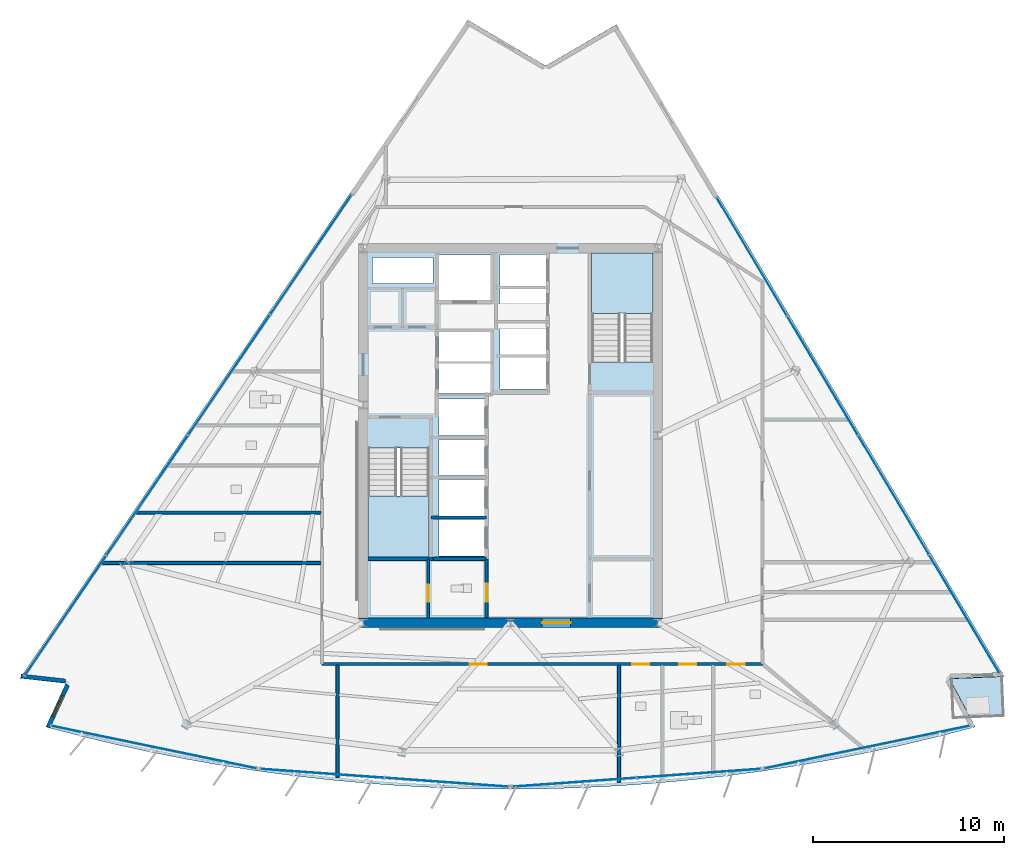
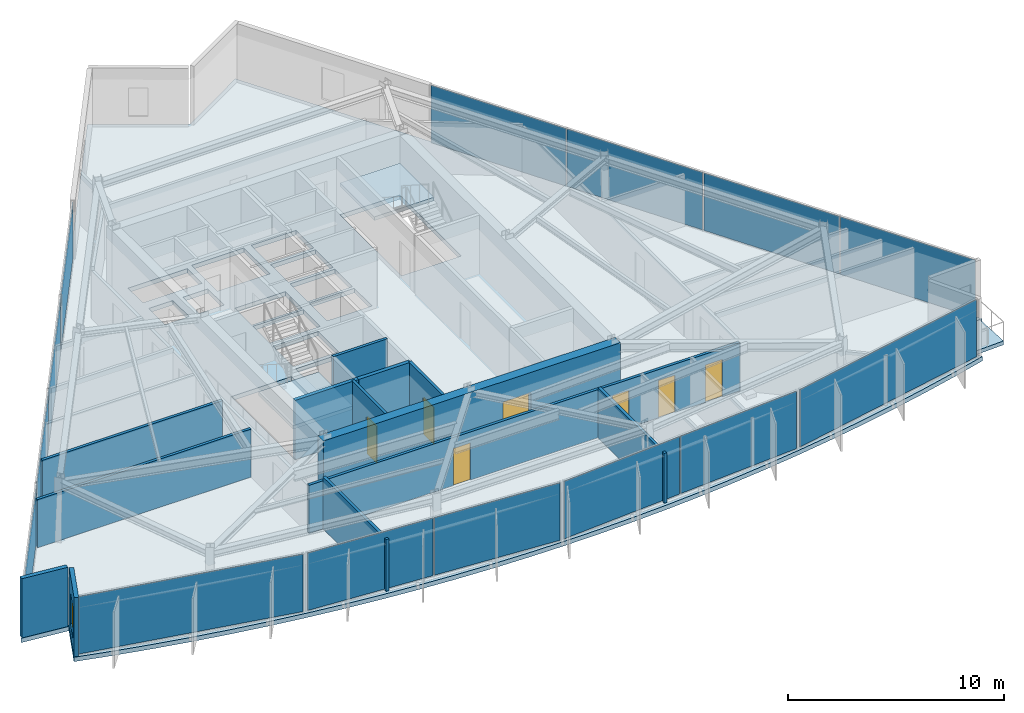
# One storey, part 7 of 15: 14 plates, 13 walls, 7 doors, 4 slabs, 1 window, 8 openings, 8 elements without a shape of their own.
"""IFC4 building model written with IfcOpenShell, lengths in metres."""

import ifcopenshell
import ifcopenshell.guid

model = None  # the IFC model being written
_history = None  # IfcOwnerHistory: only IFC2X3 demands one
_inside = {}  # id of a spatial element -> (the spatial element, [elements in it])
_under = {}  # id of a project, library or spatial element -> (it, [spatial elements below it])
_declared = {}  # id of a project -> (the project, [libraries it declares])
_typed = {}  # id of a type object -> (the type object, [elements of that type])
_made_of = {}  # id of a material, layer set ... -> (it, [elements and type objects made of it])


def new_model(schema):
    """Start an empty IFC model of exactly this schema.

    Asked for "IFC4X3", IfcOpenShell would pick the latest addendum, in which some entities
    have other attributes; the version numbers below select the first issue.
    IFC2X3 requires an IfcOwnerHistory on every rooted entity: one is made here for all.
    """
    global model, _history
    if schema == "IFC4X3":
        model = ifcopenshell.file(schema_version=(4, 3, 0, 0))
    else:
        model = ifcopenshell.file(schema=schema)
    _inside.clear()
    _under.clear()
    _declared.clear()
    _typed.clear()
    _made_of.clear()
    _history = None
    if model.schema == "IFC2X3":
        org = make("IfcOrganization", Name="unknown")
        user = make(
            "IfcPersonAndOrganization",
            ThePerson=make("IfcPerson", FamilyName="unknown"),
            TheOrganization=org,
        )
        app = make(
            "IfcApplication",
            ApplicationDeveloper=org,
            Version="unknown",
            ApplicationFullName="unknown",
            ApplicationIdentifier="unknown",
        )
        _history = make(
            "IfcOwnerHistory",
            OwningUser=user,
            OwningApplication=app,
            ChangeAction="ADDED",
            CreationDate=0,
        )
    return model


def make(cls, **values):
    """One entity of the class cls with the attributes given. An attribute that is None is left unset."""
    return model.create_entity(
        cls, **{name: value for name, value in values.items() if value is not None}
    )


def rooted(cls, **values):
    """An entity with a GlobalId (a new one), such as an element, a storey or a relation."""
    return make(cls, GlobalId=ifcopenshell.guid.new(), OwnerHistory=_history, **values)


def si_unit(unit_type, name, prefix=None):
    """IfcSIUnit, for example si_unit("LENGTHUNIT", "METRE", prefix="MILLI")."""
    return make("IfcSIUnit", UnitType=unit_type, Prefix=prefix, Name=name)


def assignment(units):
    """IfcUnitAssignment: the units of a project."""
    return None if units is None else make("IfcUnitAssignment", Units=units)


def point(xyz):
    """IfcCartesianPoint."""
    return None if xyz is None else make("IfcCartesianPoint", Coordinates=xyz)


def direction(xyz):
    """IfcDirection."""
    return None if xyz is None else make("IfcDirection", DirectionRatios=xyz)


def frame(location, z_axis=None, x_axis=None):
    """IfcAxis2Placement3D, a coordinate frame: its origin and axes. An axis left out is left unset."""
    return make(
        "IfcAxis2Placement3D",
        Location=point(location),
        Axis=direction(z_axis),
        RefDirection=direction(x_axis),
    )


def frame_2d(location, x_axis=None):
    """IfcAxis2Placement2D, a coordinate frame in the plane: its origin and x axis."""
    return make(
        "IfcAxis2Placement2D", Location=point(location), RefDirection=direction(x_axis)
    )


def origin():
    """The frame at (0, 0, 0) with its axes left unset."""
    return frame((0.0, 0.0, 0.0))


def origin_2d():
    """The frame at (0, 0) in the plane with its x axis left unset."""
    return frame_2d((0.0, 0.0))


def place(relative_to, where):
    """IfcLocalPlacement: puts the frame where relative to a parent placement (None: the world)."""
    return make(
        "IfcLocalPlacement", PlacementRelTo=relative_to, RelativePlacement=where
    )


def context(
    kind, dimensions, precision=None, world=None, true_north=None, identifier=None
):
    """IfcGeometricRepresentationContext, for example the 3D "Model" context."""
    return make(
        "IfcGeometricRepresentationContext",
        ContextIdentifier=identifier,
        ContextType=kind,
        CoordinateSpaceDimension=dimensions,
        Precision=precision,
        WorldCoordinateSystem=world,
        TrueNorth=true_north,
    )


def subcontext(parent, identifier, kind, view, scale=None):
    """IfcGeometricRepresentationSubContext, for example "Body" below "Model"."""
    return make(
        "IfcGeometricRepresentationSubContext",
        ContextIdentifier=identifier,
        ContextType=kind,
        ParentContext=parent,
        TargetScale=scale,
        TargetView=view,
    )


def project(units=None, contexts=None):
    """IfcProject with its units and contexts."""
    return rooted(
        "IfcProject",
        Name="project",
        RepresentationContexts=contexts,
        UnitsInContext=assignment(units),
    )


def spatial(cls, under=None, at=None, **own):
    """A site, building, storey or space (cls), placed at a placement, below another one or the project."""
    s = rooted(cls, ObjectPlacement=at, **own)
    if under is not None:
        _under.setdefault(under.id(), (under, []))[1].append(s)
    return s


def polyline(points):
    """IfcPolyline through the points."""
    return make("IfcPolyline", Points=[point(p) for p in points])


def profile(cls, at=None, kind="AREA", **sizes):
    """A parametric profile (cls). Its sizes go by their IFC names, for example OverallWidth=200.0."""
    return make(cls, ProfileType=kind, Position=at, **sizes)


def rectangle(**sizes):
    """IfcRectangleProfileDef."""
    return profile("IfcRectangleProfileDef", **sizes)


def outline(outer, holes=None, kind="AREA"):
    """IfcArbitraryClosedProfileDef: a profile drawn as a closed curve; with holes, ...WithVoids."""
    if holes is None:
        return make("IfcArbitraryClosedProfileDef", ProfileType=kind, OuterCurve=outer)
    return make(
        "IfcArbitraryProfileDefWithVoids",
        ProfileType=kind,
        OuterCurve=outer,
        InnerCurves=holes,
    )


def extrude(swept, where, along, depth):
    """IfcExtrudedAreaSolid: the profile swept, set in the frame where, extruded along a direction by depth."""
    return make(
        "IfcExtrudedAreaSolid",
        SweptArea=swept,
        Position=where,
        ExtrudedDirection=direction(along),
        Depth=depth,
    )


def shape(context_of_items, identifier, shape_type, items):
    """IfcShapeRepresentation: the items that make up one representation, for example the "Body"."""
    return make(
        "IfcShapeRepresentation",
        ContextOfItems=context_of_items,
        RepresentationIdentifier=identifier,
        RepresentationType=shape_type,
        Items=items,
    )


def material(Name=None, Category=None):
    """IfcMaterial."""
    return make("IfcMaterial", Name=Name, Category=Category)


def layer(
    of_material, thickness, ventilated=None, Name=None, Category=None, Priority=None
):
    """IfcMaterialLayer: one layer of a wall or slab, of a material (None: an air gap)."""
    return make(
        "IfcMaterialLayer",
        Material=of_material,
        LayerThickness=thickness,
        IsVentilated=ventilated,
        Name=Name,
        Category=Category,
        Priority=Priority,
    )


def layer_set(layers, Name=None):
    """IfcMaterialLayerSet."""
    return make("IfcMaterialLayerSet", MaterialLayers=layers, LayerSetName=Name)


def made_of(thing, what):
    """Note that an element or type object is made of a material, layer set ...; save() writes the relation."""
    if what is not None:
        _made_of.setdefault(what.id(), (what, []))[1].append(thing)
    return thing


def type_object(cls, material=None, **own):
    """A type object (cls), such as IfcWallType, which elements share."""
    return made_of(rooted(cls, **own), material)


def element(
    cls,
    number,
    at=None,
    inside=None,
    cuts=None,
    type_object=None,
    material=None,
    context=None,
    identifier="Body",
    shape_type=None,
    held_by="IfcProductDefinitionShape",
    body=None,
    shapes=None,
    **own,
):
    """One element of the class cls, such as IfcWall. Its Tag is "e" and its number.

    at: its placement. inside: the storey or other place that contains it. cuts: it is an
    opening in that element (IfcRelVoidsElement). A single representation is given by context,
    identifier, shape_type and body (its items); several are given by shapes. held_by: the class
    of the entity that holds the representations. save() writes the other relations.
    """
    e = rooted(cls, Tag="e%d" % number, ObjectPlacement=at, **own)
    if body is not None:
        shapes = [shape(context, identifier, shape_type, body)]
    if shapes is not None:
        e.Representation = make(held_by, Representations=shapes)
    if inside is not None:
        _inside.setdefault(inside.id(), (inside, []))[1].append(e)
    if cuts is not None:
        rooted(
            "IfcRelVoidsElement", RelatingBuildingElement=cuts, RelatedOpeningElement=e
        )
    if type_object is not None:
        _typed.setdefault(type_object.id(), (type_object, []))[1].append(e)
    return made_of(e, material)


def fill(opening, filler):
    """IfcRelFillsElement: the door or window that sits in an opening."""
    return rooted(
        "IfcRelFillsElement",
        RelatingOpeningElement=opening,
        RelatedBuildingElement=filler,
    )


def aggregate(whole, parts):
    """IfcRelAggregates: a whole, such as a stair, and the parts it consists of."""
    return rooted("IfcRelAggregates", RelatingObject=whole, RelatedObjects=parts)


def save(model, path):
    """Write the relations noted so far, then the file.

    IfcRelAggregates (storeys below a building ...), IfcRelContainedInSpatialStructure (elements
    in a storey), IfcRelDefinesByType, IfcRelAssociatesMaterial and IfcRelDeclares: one each for
    every whole, place, type object, material and project.
    """
    for whole, parts in _under.values():
        aggregate(whole, parts)
    for where, things in _inside.values():
        rooted(
            "IfcRelContainedInSpatialStructure",
            RelatedElements=things,
            RelatingStructure=where,
        )
    for kind, things in _typed.values():
        rooted("IfcRelDefinesByType", RelatedObjects=things, RelatingType=kind)
    for what, things in _made_of.values():
        rooted("IfcRelAssociatesMaterial", RelatedObjects=things, RelatingMaterial=what)
    for by, libraries in _declared.values():
        rooted("IfcRelDeclares", RelatingContext=by, RelatedDefinitions=libraries)
    model.write(path)


model = new_model("IFC4")

# Units and contexts
model_context = context("Model", 3, precision=1e-05, world=origin(), true_north=direction((0.0, 1.0)))
body_context = subcontext(model_context, "Body", "Model", "MODEL_VIEW")
ifc_project = project(units=[si_unit("LENGTHUNIT", "METRE"), si_unit("AREAUNIT", "SQUARE_METRE"), si_unit("VOLUMEUNIT", "CUBIC_METRE"), si_unit("PLANEANGLEUNIT", "RADIAN"), si_unit("MASSUNIT", "GRAM", prefix="KILO")], contexts=[model_context])

# Site, building, storey
site_placement = place(None, origin())
site = spatial("IfcSite", under=ifc_project, at=site_placement, CompositionType="ELEMENT")
building_placement = place(site_placement, origin())
building = spatial("IfcBuilding", under=site, at=building_placement, Name="Savorim Split Tower", CompositionType="ELEMENT")
storey_placement = place(building_placement, frame((0.0, 0.0, 198.300048828125)))
storey = spatial("IfcBuildingStorey", under=building, at=storey_placement, Name="L52", CompositionType="ELEMENT", Elevation=198.300048828125)

# Curtain wall, plate
ifc_material_1 = material(Name="Dark Ceramic-Fritted Insulated Glass", Category="glass")
curtain_wall_type = type_object("IfcCurtainWallType", Name="CW-TWR-FRIT-B", PredefinedType="NOTDEFINED", material=ifc_material_1)
curtain_wall_1_placement = place(storey_placement, origin())
curtain_wall_1 = element("IfcCurtainWall", 1, at=curtain_wall_1_placement, inside=storey, type_object=curtain_wall_type, Name="L52 Curtain Wall CW-L52-SF1", PredefinedType="NOTDEFINED")
ifc_layer_1 = layer(ifc_material_1, 0.02587890625)
ifc_layer_set_1 = layer_set([ifc_layer_1], Name="CWP-FRITB-26")
plate_type = type_object("IfcPlateType", Name="CWP-FRITB-26", PredefinedType="CURTAIN_PANEL", material=ifc_layer_set_1)
plate_1_placement = place(storey_placement, frame((-18.65283203125, -15.901123046875, 0.050048828125), z_axis=(0.0, 0.0, 1.0), x_axis=(0.979135601511, -0.203207957161, 0.0)))
plate_1 = element("IfcPlate", 2, at=plate_1_placement, type_object=plate_type, Name="CW-03 panel 1.1", PredefinedType="CURTAIN_PANEL", context=body_context, shape_type="SweptSolid", body=[
    extrude(rectangle(XDim=10.946533203125, YDim=0.02587890625, at=origin_2d()), origin(), (0.0, 0.0, 1.0), 3.25),
])
aggregate(curtain_wall_1, [plate_1])

# Curtain wall, plates
curtain_wall_2_placement = place(storey_placement, origin())
curtain_wall_2 = element("IfcCurtainWall", 3, at=curtain_wall_2_placement, inside=storey, type_object=curtain_wall_type, Name="L52 Curtain Wall CW-L52-SF2", PredefinedType="NOTDEFINED")
plate_2_placement = place(storey_placement, frame((-9.846923828125, -17.275634765625, 0.050048828125), z_axis=(0.0, 0.0, 1.0), x_axis=(0.997436161804, -0.071561883187, 0.0)))
plate_2 = element("IfcPlate", 4, at=plate_2_placement, type_object=plate_type, Name="CW-03 panel 1.1", PredefinedType="CURTAIN_PANEL", context=body_context, shape_type="SweptSolid", body=[
    extrude(rectangle(XDim=6.46728515625, YDim=0.02587890625, at=origin_2d()), origin(), (0.0, 0.0, 1.0), 3.25),
])
plate_3_placement = place(storey_placement, frame((-3.33642578125, -17.74267578125, 0.050048828125), z_axis=(0.0, 0.0, 1.0), x_axis=(0.997436161804, -0.071561883187, 0.0)))
plate_3 = element("IfcPlate", 5, at=plate_3_placement, type_object=plate_type, Name="CW-03 panel 2.1", PredefinedType="CURTAIN_PANEL", context=body_context, shape_type="SweptSolid", body=[
    extrude(rectangle(XDim=6.46728515625, YDim=0.02587890625, at=origin_2d()), origin(), (0.0, 0.0, 1.0), 3.25),
])
aggregate(curtain_wall_2, [plate_2, plate_3])

curtain_wall_3_placement = place(storey_placement, origin())
curtain_wall_3 = element("IfcCurtainWall", 6, at=curtain_wall_3_placement, inside=storey, type_object=curtain_wall_type, Name="L52 Curtain Wall CW-L52-SF3", PredefinedType="NOTDEFINED")
plate_4_placement = place(storey_placement, frame((3.33642578125, -17.74267578125, 0.050048828125), z_axis=(0.0, 0.0, 1.0), x_axis=(0.997436161804, 0.071561883187, 0.0)))
plate_4 = element("IfcPlate", 7, at=plate_4_placement, type_object=plate_type, Name="CW-03 panel 1.1", PredefinedType="CURTAIN_PANEL", context=body_context, shape_type="SweptSolid", body=[
    extrude(rectangle(XDim=6.46728515625, YDim=0.02587890625, at=origin_2d()), origin(), (0.0, 0.0, 1.0), 3.25),
])
plate_5_placement = place(storey_placement, frame((9.846923828125, -17.275634765625, 0.050048828125), z_axis=(0.0, 0.0, 1.0), x_axis=(0.997436161804, 0.071561883187, 0.0)))
plate_5 = element("IfcPlate", 8, at=plate_5_placement, type_object=plate_type, Name="CW-03 panel 2.1", PredefinedType="CURTAIN_PANEL", context=body_context, shape_type="SweptSolid", body=[
    extrude(rectangle(XDim=6.46728515625, YDim=0.02587890625, at=origin_2d()), origin(), (0.0, 0.0, 1.0), 3.25),
])
aggregate(curtain_wall_3, [plate_4, plate_5])

# Curtain wall, plate
curtain_wall_4_placement = place(storey_placement, origin())
curtain_wall_4 = element("IfcCurtainWall", 9, at=curtain_wall_4_placement, inside=storey, type_object=curtain_wall_type, Name="L52 Curtain Wall CW-L52-SF4", PredefinedType="NOTDEFINED")
plate_6_placement = place(storey_placement, frame((18.65283203125, -15.901123046875, 0.050048828125), z_axis=(0.0, 0.0, 1.0), x_axis=(0.979135601511, 0.203207957161, 0.0)))
plate_6 = element("IfcPlate", 10, at=plate_6_placement, type_object=plate_type, Name="CW-03 panel 1.1", PredefinedType="CURTAIN_PANEL", context=body_context, shape_type="SweptSolid", body=[
    extrude(rectangle(XDim=10.946533203125, YDim=0.02587890625, at=origin_2d()), origin(), (0.0, 0.0, 1.0), 3.25),
])
aggregate(curtain_wall_4, [plate_6])

# Curtain wall, plates
curtain_wall_5_placement = place(storey_placement, origin())
curtain_wall_5 = element("IfcCurtainWall", 11, at=curtain_wall_5_placement, inside=storey, type_object=curtain_wall_type, Name="L52 Curtain Wall CW-L52-EAST", PredefinedType="NOTDEFINED")
plate_7_placement = place(storey_placement, frame((23.739013671875, -8.941162109375, 0.050048828125), z_axis=(0.0, 0.0, 1.0), x_axis=(-0.511092175308, 0.859525909056, 0.0)))
plate_7 = element("IfcPlate", 12, at=plate_7_placement, type_object=plate_type, Name="CW-03 panel 1.1", PredefinedType="CURTAIN_PANEL", context=body_context, shape_type="SweptSolid", body=[
    extrude(rectangle(XDim=7.167724609375, YDim=0.02587890625, at=origin_2d()), origin(), (0.0, 0.0, 1.0), 3.25),
])
plate_8_placement = place(storey_placement, frame((20.037353515625, -2.7158203125, 0.050048828125), z_axis=(0.0, 0.0, 1.0), x_axis=(-0.511092175308, 0.859525909056, 0.0)))
plate_8 = element("IfcPlate", 13, at=plate_8_placement, type_object=plate_type, Name="CW-03 panel 2.1", PredefinedType="CURTAIN_PANEL", context=body_context, shape_type="SweptSolid", body=[
    extrude(rectangle(XDim=7.19775390625, YDim=0.02587890625, at=origin_2d()), origin(), (0.0, 0.0, 1.0), 3.25),
])
plate_9_placement = place(storey_placement, frame((16.328125, 3.522216796875, 0.050048828125), z_axis=(0.0, 0.0, 1.0), x_axis=(-0.511092175308, 0.859525909056, 0.0)))
plate_9 = element("IfcPlate", 14, at=plate_9_placement, type_object=plate_type, Name="CW-03 panel 3.1", PredefinedType="CURTAIN_PANEL", context=body_context, shape_type="SweptSolid", body=[
    extrude(rectangle(XDim=7.19775390625, YDim=0.02587890625, at=origin_2d()), origin(), (0.0, 0.0, 1.0), 3.25),
])
plate_10_placement = place(storey_placement, frame((12.626220703125, 9.74755859375, 0.050048828125), z_axis=(0.0, 0.0, 1.0), x_axis=(-0.511092175308, 0.859525909056, 0.0)))
plate_10 = element("IfcPlate", 15, at=plate_10_placement, type_object=plate_type, Name="CW-03 panel 4.1", PredefinedType="CURTAIN_PANEL", context=body_context, shape_type="SweptSolid", body=[
    extrude(rectangle(XDim=7.167724609375, YDim=0.02587890625, at=origin_2d()), origin(), (0.0, 0.0, 1.0), 3.25),
])
aggregate(curtain_wall_5, [plate_7, plate_8, plate_9, plate_10])

curtain_wall_6_placement = place(storey_placement, origin())
curtain_wall_6 = element("IfcCurtainWall", 16, at=curtain_wall_6_placement, inside=storey, type_object=curtain_wall_type, Name="L52 Curtain Wall CW-L52-WEST", PredefinedType="NOTDEFINED")
plate_11_placement = place(storey_placement, frame((-10.436279296875, 9.86181640625, 0.050048828125), z_axis=(0.0, 0.0, 1.0), x_axis=(-0.562465276773, -0.826820907104, 0.0)))
plate_11 = element("IfcPlate", 17, at=plate_11_placement, type_object=plate_type, Name="CW-03 panel 1.1", PredefinedType="CURTAIN_PANEL", context=body_context, shape_type="SweptSolid", body=[
    extrude(rectangle(XDim=7.533447265625, YDim=0.02587890625, at=origin_2d()), origin(), (0.0, 0.0, 1.0), 3.25),
])
plate_12_placement = place(storey_placement, frame((-14.7158203125, 3.571044921875, 0.050048828125), z_axis=(0.0, 0.0, 1.0), x_axis=(-0.562465276773, -0.826820907104, 0.0)))
plate_12 = element("IfcPlate", 18, at=plate_12_placement, type_object=plate_type, Name="CW-03 panel 2.1", PredefinedType="CURTAIN_PANEL", context=body_context, shape_type="SweptSolid", body=[
    extrude(rectangle(XDim=7.5634765625, YDim=0.02587890625, at=origin_2d()), origin(), (0.0, 0.0, 1.0), 3.25),
])
plate_13_placement = place(storey_placement, frame((-19.003662109375, -2.732421875, 0.050048828125), z_axis=(0.0, 0.0, 1.0), x_axis=(-0.562465276773, -0.826820907104, 0.0)))
plate_13 = element("IfcPlate", 19, at=plate_13_placement, type_object=plate_type, Name="CW-03 panel 3.1", PredefinedType="CURTAIN_PANEL", context=body_context, shape_type="SweptSolid", body=[
    extrude(rectangle(XDim=7.5634765625, YDim=0.02587890625, at=origin_2d()), origin(), (0.0, 0.0, 1.0), 3.25),
])
plate_14_placement = place(storey_placement, frame((-23.283203125, -9.023193359375, 0.050048828125), z_axis=(0.0, 0.0, 1.0), x_axis=(-0.562465276773, -0.826820907104, 0.0)))
plate_14 = element("IfcPlate", 20, at=plate_14_placement, type_object=plate_type, Name="CW-03 panel 4.1", PredefinedType="CURTAIN_PANEL", context=body_context, shape_type="SweptSolid", body=[
    extrude(rectangle(XDim=7.533447265625, YDim=0.02587890625, at=origin_2d()), origin(), (0.0, 0.0, 1.0), 3.25),
])
aggregate(curtain_wall_6, [plate_11, plate_12, plate_13, plate_14])

# Slab
ifc_material_2 = material(Name="Concrete C50/60", Category="concrete")
ifc_layer_2 = layer(ifc_material_2, 0.219970703125)
ifc_layer_set_2 = layer_set([ifc_layer_2], Name="SLB-BAL-220")
slab_type_1 = type_object("IfcSlabType", Name="SLB-BAL-220", PredefinedType="FLOOR", material=ifc_layer_set_2)
slab_1_placement = place(storey_placement, frame((0.0, 0.0, -0.219970703125)))
element("IfcSlab", 21, at=slab_1_placement, inside=storey, type_object=slab_type_1, Name="L52 Notched Corner Planted Tree Balcony Slab", PredefinedType="FLOOR", context=body_context, shape_type="SweptSolid", body=[
    extrude(outline(polyline([(25.697265625, -12.2109375), (23.07470703125, -12.322509765625), (23.08447265625, -12.55419921875), (24.036376953125, -14.32861328125), (25.7841796875, -14.254150390625), (25.697265625, -12.2109375)])), origin(), (0.0, 0.0, 1.0), 0.219970703125),
])

# Stair, slab
stair_type = type_object("IfcStairType", Name="STR-DOG-3600", PredefinedType="HALF_TURN_STAIR", material=ifc_material_2)
stair_1_placement = place(storey_placement, origin())
stair_1 = element("IfcStair", 22, at=stair_1_placement, inside=storey, type_object=stair_type, Name="L52 Core Protected Exit Stair ST-1", PredefinedType="HALF_TURN_STAIR")
ifc_layer_3 = layer(ifc_material_2, 0.199951171875)
ifc_layer_set_3 = layer_set([ifc_layer_3], Name="SLB-LND-200")
slab_type_2 = type_object("IfcSlabType", Name="SLB-LND-200", PredefinedType="LANDING", material=ifc_layer_set_3)
slab_2_placement = place(storey_placement, frame((0.0, 0.0, 1.599853515625)))
slab_2 = element("IfcSlab", 23, at=slab_2_placement, type_object=slab_type_2, Name="ST-1 landing 1", PredefinedType="LANDING", context=body_context, shape_type="SweptSolid", body=[
    extrude(outline(polyline([(-7.449951171875, -2.77001953125), (-7.449951171875, -5.949951171875), (-4.25, -5.949951171875), (-4.25, -2.77001953125), (-7.449951171875, -2.77001953125)])), origin(), (0.0, 0.0, 1.0), 0.2001953125),
])
aggregate(stair_1, [slab_2])

stair_2_placement = place(storey_placement, origin())
stair_2 = element("IfcStair", 24, at=stair_2_placement, inside=storey, type_object=stair_type, Name="L52 Core Protected Exit Stair ST-2", PredefinedType="HALF_TURN_STAIR")
slab_3_placement = place(storey_placement, frame((0.0, 0.0, 1.599853515625)))
slab_3 = element("IfcSlab", 25, at=slab_3_placement, type_object=slab_type_2, Name="ST-2 landing 1", PredefinedType="LANDING", context=body_context, shape_type="SweptSolid", body=[
    extrude(outline(polyline([(7.449951171875, 6.77001953125), (7.449951171875, 9.949951171875), (4.25, 9.949951171875), (4.25, 6.77001953125), (7.449951171875, 6.77001953125)])), origin(), (0.0, 0.0, 1.0), 0.2001953125),
])
aggregate(stair_2, [slab_3])

# Slab
ifc_layer_4 = layer(ifc_material_2, 0.25)
ifc_layer_set_4 = layer_set([ifc_layer_4], Name="SLB-TWR-250")
slab_type_3 = type_object("IfcSlabType", Name="SLB-TWR-250", PredefinedType="FLOOR", material=ifc_layer_set_4)
slab_4_placement = place(storey_placement, frame((0.0, 0.0, -0.25)))
element("IfcSlab", 26, at=slab_4_placement, inside=storey, type_object=slab_type_3, Name="L52 Structural Floor Slab", PredefinedType="FLOOR", context=body_context, shape_type="SweptSolid", body=[
    extrude(outline(polyline([(-24.310302734375, -14.849609375), (-22.479736328125, -15.328369140625), (-20.6396484375, -15.76953125), (-18.791015625, -16.173095703125), (-16.934326171875, -16.53857421875), (-15.070556640625, -16.865966796875), (-13.20068359375, -17.1552734375), (-11.3251953125, -17.40625), (-9.44482421875, -17.618896484375), (-7.560546875, -17.792724609375), (-5.673095703125, -17.92822265625), (-3.783447265625, -18.02490234375), (-1.89208984375, -18.0830078125), (0.0, -18.102294921875), (1.89208984375, -18.0830078125), (3.783447265625, -18.02490234375), (5.673095703125, -17.92822265625), (7.560546875, -17.792724609375), (9.44482421875, -17.618896484375), (11.3251953125, -17.40625), (13.20068359375, -17.1552734375), (15.070556640625, -16.865966796875), (16.934326171875, -16.53857421875), (18.791015625, -16.173095703125), (20.6396484375, -15.76953125), (22.479736328125, -15.328369140625), (24.310302734375, -14.849609375), (22.95458984375, -12.32275390625), (25.81689453125, -12.200927734375), (5.54150390625, 21.897216796875), (1.84033203125, 19.739990234375), (-2.23291015625, 22.134033203125), (-25.65869140625, -12.3017578125), (-23.2626953125, -12.569091796875), (-24.310302734375, -14.849609375)]), holes=[polyline([(-7.449951171875, -0.25390625), (-7.449951171875, -5.949951171875), (-4.25, -5.949951171875), (-4.25, -0.25390625), (-7.449951171875, -0.25390625)]), polyline([(7.449951171875, 4.25390625), (7.449951171875, 9.949951171875), (4.25, 9.949951171875), (4.25, 4.25390625), (7.449951171875, 4.25390625)]), polyline([(-3.75, -5.89990234375), (-1.35009765625, -5.89990234375), (-1.35009765625, -4.0), (-3.75, -4.0), (-3.75, -5.89990234375)]), polyline([(-3.75, -3.800048828125), (-1.35009765625, -3.800048828125), (-1.35009765625, -1.89990234375), (-3.75, -1.89990234375), (-3.75, -3.800048828125)]), polyline([(-3.75, -1.699951171875), (-1.35009765625, -1.699951171875), (-1.35009765625, 0.199951171875), (-3.75, 0.199951171875), (-3.75, -1.699951171875)]), polyline([(-3.75, 0.39990234375), (-1.35009765625, 0.39990234375), (-1.35009765625, 2.300048828125), (-3.75, 2.300048828125), (-3.75, 0.39990234375)]), polyline([(-0.550048828125, 2.830078125), (1.85009765625, 2.830078125), (1.85009765625, 4.469970703125), (-0.550048828125, 4.469970703125), (-0.550048828125, 2.830078125)]), polyline([(-0.550048828125, 4.6298828125), (1.85009765625, 4.6298828125), (1.85009765625, 6.27001953125), (-0.550048828125, 6.27001953125), (-0.550048828125, 4.6298828125)]), polyline([(-0.550048828125, 6.429931640625), (1.85009765625, 6.429931640625), (1.85009765625, 8.070068359375), (-0.550048828125, 8.070068359375), (-0.550048828125, 6.429931640625)]), polyline([(-0.550048828125, 8.22998046875), (1.85009765625, 8.22998046875), (1.85009765625, 9.8701171875), (-0.550048828125, 9.8701171875), (-0.550048828125, 8.22998046875)]), polyline([(-3.75, 2.60009765625), (-1.050048828125, 2.60009765625), (-1.050048828125, 4.159912109375), (-3.75, 4.159912109375), (-3.75, 2.60009765625)]), polyline([(-3.75, 4.280029296875), (-1.050048828125, 4.280029296875), (-1.050048828125, 5.840087890625), (-3.75, 5.840087890625), (-3.75, 4.280029296875)]), polyline([(-3.75, 7.449951171875), (-0.949951171875, 7.449951171875), (-0.949951171875, 9.85009765625), (-3.75, 9.85009765625), (-3.75, 7.449951171875)]), polyline([(-7.219970703125, 6.320068359375), (-5.919921875, 6.320068359375), (-5.919921875, 7.820068359375), (-7.219970703125, 7.820068359375), (-7.219970703125, 6.320068359375)]), polyline([(-5.3798828125, 6.320068359375), (-4.050048828125, 6.320068359375), (-4.050048828125, 7.820068359375), (-5.3798828125, 7.820068359375), (-5.3798828125, 6.320068359375)]), polyline([(-7.219970703125, 8.360107421875), (-4.050048828125, 8.360107421875), (-4.050048828125, 9.719970703125), (-7.219970703125, 9.719970703125), (-7.219970703125, 8.360107421875)])]), origin(), (0.0, 0.0, 1.0), 0.25),
])

# Wall, opening, door
ifc_material_3 = material(Name="Concrete C60/75", Category="concrete")
ifc_layer_5 = layer(ifc_material_3, 0.5)
ifc_layer_set_5 = layer_set([ifc_layer_5], Name="WAL-COR-SH500")
wall_type_1 = type_object("IfcWallType", Name="WAL-COR-SH500", PredefinedType="SHEAR", material=ifc_layer_set_5)
wall_1_placement = place(storey_placement, frame((-7.949951171875, -9.39990234375, 0.0), z_axis=(0.0, 0.0, 1.0), x_axis=(1.0, 0.0, 0.0)))
wall_1 = element("IfcWall", 27, at=wall_1_placement, inside=storey, type_object=wall_type_1, Name="L52 Offset Core South Shear Wall", PredefinedType="SHEAR", context=body_context, shape_type="SweptSolid", body=[
    extrude(rectangle(XDim=15.89990234375, YDim=0.5, at=frame_2d((7.949951171875, 0.0))), origin(), (0.0, 0.0, 1.0), 3.349853515625),
])
opening_1_placement = place(wall_1_placement, frame((9.60009765625, 0.0, 0.0)))
opening_1 = element("IfcOpeningElement", 28, at=opening_1_placement, cuts=wall_1, Name="Opening DI-02", PredefinedType="OPENING", context=body_context, shape_type="SweptSolid", body=[
    extrude(rectangle(XDim=1.5, YDim=2.199951171875, at=frame_2d((0.75, 1.10009765625))), frame((0.0, 0.260009765625, 0.0), z_axis=(0.0, -1.0, 0.0), x_axis=(1.0, 0.0, 0.0)), (0.0, 0.0, 1.0), 0.52001953125),
])
ifc_material_4 = material(Name="Timber Fire Door Leaf", Category="wood")
door_type_1 = type_object("IfcDoorType", Name="DOR-DBL-1500", OperationType="NOTDEFINED", PredefinedType="DOOR", material=ifc_material_4)
door_1_placement = place(opening_1_placement, origin())
door_1 = element("IfcDoor", 29, at=door_1_placement, inside=storey, type_object=door_type_1, Name="DOR-L52-COR-LLOB - L52 Lift Lobby Main Rated Door", OperationType="DOUBLE_DOOR_SINGLE_SWING", OverallHeight=2.199951171875, OverallWidth=1.5, PredefinedType="DOOR", context=body_context, shape_type="SweptSolid", body=[
    extrude(rectangle(XDim=1.5, YDim=2.199951171875, at=frame_2d((0.75, 1.10009765625))), frame((0.0, 0.02490234375, 0.0), z_axis=(0.0, -1.0, 0.0), x_axis=(1.0, 0.0, 0.0)), (0.0, 0.0, 1.0), 0.050048828125),
])
fill(opening_1, door_1)

# Wall
ifc_material_5 = material(Name="Precast concrete C40/50", Category="concrete")
ifc_layer_6 = layer(ifc_material_5, 0.219970703125)
ifc_layer_set_6 = layer_set([ifc_layer_6], Name="WAL-EXT-CRN220")
wall_type_2 = type_object("IfcWallType", Name="WAL-EXT-CRN220", PredefinedType="SOLIDWALL", material=ifc_layer_set_6)
wall_2_placement = place(storey_placement, frame((-23.2890625, -12.445556640625, 0.0), z_axis=(0.0, 0.0, 1.0), x_axis=(-0.993829972675, 0.110914315635, 0.0)))
element("IfcWall", 30, at=wall_2_placement, inside=storey, type_object=wall_type_2, Name="L52 Notched Corner Facade Wall SW1", PredefinedType="SOLIDWALL", context=body_context, shape_type="SweptSolid", body=[
    extrude(rectangle(XDim=2.3310546875, YDim=0.219970703125, at=frame_2d((1.16552734375, 0.0))), origin(), (0.0, 0.0, 1.0), 3.349853515625),
])

# Wall, opening, window
wall_3_placement = place(storey_placement, frame((-24.184814453125, -14.86328125, 0.0), z_axis=(0.0, 0.0, 1.0), x_axis=(0.417509141111, 0.90867272276, 0.0)))
wall_3 = element("IfcWall", 31, at=wall_3_placement, inside=storey, type_object=wall_type_2, Name="L52 Notched Corner Facade Wall SW", PredefinedType="SOLIDWALL", context=body_context, shape_type="SweptSolid", body=[
    extrude(rectangle(XDim=2.4296875, YDim=0.219970703125, at=frame_2d((1.21484375, 0.0))), origin(), (0.0, 0.0, 1.0), 3.349853515625),
])
opening_2_placement = place(wall_3_placement, frame((0.61474609375, 0.0, 0.6201171875)))
opening_2 = element("IfcOpeningElement", 32, at=opening_2_placement, cuts=wall_3, Name="Opening WN-08", PredefinedType="OPENING", context=body_context, shape_type="SweptSolid", body=[
    extrude(rectangle(XDim=1.199951171875, YDim=1.800048828125, at=frame_2d((0.60009765625, 0.89990234375))), frame((0.0, 0.119873046875, 0.0), z_axis=(0.0, -1.0, 0.0), x_axis=(1.0, 0.0, 0.0)), (0.0, 0.0, 1.0), 0.239990234375),
])
ifc_material_6 = material(Name="Low-E Operable Double Glazing", Category="glass")
window_type = type_object("IfcWindowType", Name="WIN-TWR-1200x1800", PartitioningType="SINGLE_PANEL", PredefinedType="WINDOW", material=ifc_material_6)
window_placement = place(opening_2_placement, origin())
window = element("IfcWindow", 33, at=window_placement, inside=storey, type_object=window_type, Name="L52 Operable Corner Window SW", OverallHeight=1.800048828125, OverallWidth=1.199951171875, PartitioningType="SINGLE_PANEL", PredefinedType="WINDOW", context=body_context, shape_type="SweptSolid", body=[
    extrude(rectangle(XDim=1.199951171875, YDim=1.800048828125, at=frame_2d((0.60009765625, 0.89990234375))), frame((0.0, 0.030029296875, 0.0), z_axis=(0.0, -1.0, 0.0), x_axis=(1.0, 0.0, 0.0)), (0.0, 0.0, 1.0), 0.06005859375),
])
fill(opening_2, window)

# Walls
ifc_layer_7 = layer(ifc_material_2, 0.199951171875)
ifc_layer_set_7 = layer_set([ifc_layer_7], Name="WAL-INT-RC200")
wall_type_3 = type_object("IfcWallType", Name="WAL-INT-RC200", PredefinedType="SOLIDWALL", material=ifc_layer_set_7)
wall_4_placement = place(storey_placement, frame((-7.449951171875, -6.050048828125, 0.0), z_axis=(0.0, 0.0, 1.0), x_axis=(1.0, 0.0, 0.0)))
element("IfcWall", 34, at=wall_4_placement, inside=storey, type_object=wall_type_3, Name="L52 Structural Shaft Wall W-L52-KSEP-W", PredefinedType="SOLIDWALL", context=body_context, shape_type="SweptSolid", body=[
    extrude(rectangle(XDim=3.39990234375, YDim=0.199951171875, at=frame_2d((1.699951171875, 0.0))), origin(), (0.0, 0.0, 1.0), 3.349853515625),
])
wall_5_placement = place(storey_placement, frame((-4.0400390625, -6.050048828125, 0.0), z_axis=(0.0, 0.0, 1.0), x_axis=(1.0, 0.0, 0.0)))
element("IfcWall", 35, at=wall_5_placement, inside=storey, type_object=wall_type_3, Name="L52 Partition W-L52-KSEP-W2", PredefinedType="SOLIDWALL", context=body_context, shape_type="SweptSolid", body=[
    extrude(rectangle(XDim=2.7900390625, YDim=0.199951171875, at=frame_2d((1.39501953125, 0.0))), origin(), (0.0, 0.0, 1.0), 3.349853515625),
])
ifc_material_7 = material(Name="Acoustic Gypsum Partition Board")
ifc_layer_8 = layer(ifc_material_7, 0.14990234375)
ifc_layer_set_8 = layer_set([ifc_layer_8], Name="WAL-PAR-150")
wall_type_4 = type_object("IfcWallType", Name="WAL-PAR-150", PredefinedType="PARTITIONING", material=ifc_layer_set_8)
wall_6_placement = place(storey_placement, frame((-4.14990234375, -3.89990234375, 0.0), z_axis=(0.0, 0.0, 1.0), x_axis=(1.0, 0.0, 0.0)))
element("IfcWall", 36, at=wall_6_placement, inside=storey, type_object=wall_type_4, Name="L52 Partition W-L52-B2DIV1", PredefinedType="PARTITIONING", context=body_context, shape_type="SweptSolid", body=[
    extrude(rectangle(XDim=2.89990234375, YDim=0.14990234375, at=frame_2d((1.449951171875, 0.0))), origin(), (0.0, 0.0, 1.0), 3.349853515625),
])

# Wall, opening, door
wall_7_placement = place(storey_placement, frame((-1.25, -9.14501953125, 0.0), z_axis=(0.0, 0.0, 1.0), x_axis=(0.0, 1.0, 0.0)))
wall_7 = element("IfcWall", 37, at=wall_7_placement, inside=storey, type_object=wall_type_4, Name="L52 Partition W-L52-KLOB-W", PredefinedType="PARTITIONING", context=body_context, shape_type="SweptSolid", body=[
    extrude(rectangle(XDim=3.094970703125, YDim=0.14990234375, at=frame_2d((1.54736328125, 0.0))), origin(), (0.0, 0.0, 1.0), 3.349853515625),
])
opening_3_placement = place(wall_7_placement, frame((0.844970703125, 0.0, 0.0)))
opening_3 = element("IfcOpeningElement", 38, at=opening_3_placement, cuts=wall_7, Name="Opening DI-10", PredefinedType="OPENING", context=body_context, shape_type="SweptSolid", body=[
    extrude(rectangle(XDim=0.949951171875, YDim=2.10009765625, at=frame_2d((0.47509765625, 1.050048828125))), frame((0.0, 0.0849609375, 0.0), z_axis=(0.0, -1.0, 0.0), x_axis=(1.0, 0.0, 0.0)), (0.0, 0.0, 1.0), 0.169921875),
])
ifc_material_8 = material(Name="Oak Veneer Acoustic Door")
door_type_2 = type_object("IfcDoorType", Name="DOR-WC-950", OperationType="NOTDEFINED", PredefinedType="DOOR", material=ifc_material_8)
door_2_placement = place(opening_3_placement, origin())
door_2 = element("IfcDoor", 39, at=door_2_placement, inside=storey, type_object=door_type_2, Name="DR-L52-K1WC - L52 Core Accessible WC Door", OperationType="SINGLE_SWING_LEFT", OverallHeight=2.10009765625, OverallWidth=0.949951171875, PredefinedType="DOOR", context=body_context, shape_type="SweptSolid", body=[
    extrude(rectangle(XDim=0.949951171875, YDim=2.10009765625, at=frame_2d((0.47509765625, 1.050048828125))), frame((0.0, 0.02490234375, 0.0), z_axis=(0.0, -1.0, 0.0), x_axis=(1.0, 0.0, 0.0)), (0.0, 0.0, 1.0), 0.050048828125),
])
fill(opening_3, door_2)

wall_8_placement = place(storey_placement, frame((-4.300048828125, -9.14501953125, 0.0), z_axis=(0.0, 0.0, 1.0), x_axis=(0.0, 1.0, 0.0)))
wall_8 = element("IfcWall", 40, at=wall_8_placement, inside=storey, type_object=wall_type_4, Name="L52 Partition W-L52-K1W", PredefinedType="PARTITIONING", context=body_context, shape_type="SweptSolid", body=[
    extrude(rectangle(XDim=3.094970703125, YDim=0.14990234375, at=frame_2d((1.54736328125, 0.0))), origin(), (0.0, 0.0, 1.0), 3.349853515625),
])
opening_4_placement = place(wall_8_placement, frame((0.844970703125, 0.0, 0.0)))
opening_4 = element("IfcOpeningElement", 41, at=opening_4_placement, cuts=wall_8, Name="Opening DI-06", PredefinedType="OPENING", context=body_context, shape_type="SweptSolid", body=[
    extrude(rectangle(XDim=0.89990234375, YDim=2.10009765625, at=frame_2d((0.449951171875, 1.050048828125))), frame((0.0, 0.0849609375, 0.0), z_axis=(0.0, -1.0, 0.0), x_axis=(1.0, 0.0, 0.0)), (0.0, 0.0, 1.0), 0.169921875),
])
door_type_3 = type_object("IfcDoorType", Name="DOR-FIR-900", OperationType="NOTDEFINED", PredefinedType="DOOR", material=ifc_material_4)
door_3_placement = place(opening_4_placement, origin())
door_3 = element("IfcDoor", 42, at=door_3_placement, inside=storey, type_object=door_type_3, Name="DR-L52-K1HK - L52 Housekeeping Store Door", OperationType="SINGLE_SWING_RIGHT", OverallHeight=2.10009765625, OverallWidth=0.89990234375, PredefinedType="DOOR", context=body_context, shape_type="SweptSolid", body=[
    extrude(rectangle(XDim=0.89990234375, YDim=2.10009765625, at=frame_2d((0.449951171875, 1.050048828125))), frame((0.0, 0.02490234375, 0.0), z_axis=(0.0, -1.0, 0.0), x_axis=(1.0, 0.0, 0.0)), (0.0, 0.0, 1.0), 0.050048828125),
])
fill(opening_4, door_3)

# Wall, openings, doors
wall_9_placement = place(storey_placement, frame((13.179931640625, -11.56005859375, 0.0), z_axis=(0.0, 0.0, 1.0), x_axis=(-1.0, 0.0, 0.0)))
wall_9 = element("IfcWall", 43, at=wall_9_placement, inside=storey, type_object=wall_type_4, Name="L52 Partition W-L52-COR-06", PredefinedType="PARTITIONING", context=body_context, shape_type="SweptSolid", body=[
    extrude(rectangle(XDim=23.0400390625, YDim=0.14990234375, at=frame_2d((11.52001953125, 0.0))), origin(), (0.0, 0.0, 1.0), 2.724853515625),
])
opening_5_placement = place(wall_9_placement, frame((14.41748046875, 0.0, 0.0)))
opening_5 = element("IfcOpeningElement", 44, at=opening_5_placement, cuts=wall_9, Name="Opening DI-06", PredefinedType="OPENING", context=body_context, shape_type="SweptSolid", body=[
    extrude(rectangle(XDim=0.89990234375, YDim=2.10009765625, at=frame_2d((0.449951171875, 1.050048828125))), frame((0.0, 0.0849609375, 0.0), z_axis=(0.0, -1.0, 0.0), x_axis=(1.0, 0.0, 0.0)), (0.0, 0.0, 1.0), 0.169921875),
])
opening_6_placement = place(wall_9_placement, frame((5.921630859375, 0.0, 0.0)))
opening_6 = element("IfcOpeningElement", 45, at=opening_6_placement, cuts=wall_9, Name="Opening DI-06", PredefinedType="OPENING", context=body_context, shape_type="SweptSolid", body=[
    extrude(rectangle(XDim=0.89990234375, YDim=2.10009765625, at=frame_2d((0.449951171875, 1.050048828125))), frame((0.0, 0.0849609375, 0.0), z_axis=(0.0, -1.0, 0.0), x_axis=(1.0, 0.0, 0.0)), (0.0, 0.0, 1.0), 0.169921875),
])
opening_7_placement = place(wall_9_placement, frame((3.458984375, 0.0, 0.0)))
opening_7 = element("IfcOpeningElement", 46, at=opening_7_placement, cuts=wall_9, Name="Opening DI-11", PredefinedType="OPENING", context=body_context, shape_type="SweptSolid", body=[
    extrude(rectangle(XDim=0.89990234375, YDim=2.10009765625, at=frame_2d((0.449951171875, 1.050048828125))), frame((0.0, 0.0849609375, 0.0), z_axis=(0.0, -1.0, 0.0), x_axis=(1.0, 0.0, 0.0)), (0.0, 0.0, 1.0), 0.169921875),
])
opening_8_placement = place(wall_9_placement, frame((0.92919921875, 0.0, 0.0)))
opening_8 = element("IfcOpeningElement", 47, at=opening_8_placement, cuts=wall_9, Name="Opening DI-06", PredefinedType="OPENING", context=body_context, shape_type="SweptSolid", body=[
    extrude(rectangle(XDim=0.89990234375, YDim=2.10009765625, at=frame_2d((0.449951171875, 1.050048828125))), frame((0.0, 0.0849609375, 0.0), z_axis=(0.0, -1.0, 0.0), x_axis=(1.0, 0.0, 0.0)), (0.0, 0.0, 1.0), 0.169921875),
])
door_4_placement = place(opening_5_placement, origin())
door_4 = element("IfcDoor", 48, at=door_4_placement, inside=storey, type_object=door_type_3, Name="DR-L52-RM05 - L52 Co-Working Commons Entry Door", OperationType="SINGLE_SWING_RIGHT", OverallHeight=2.10009765625, OverallWidth=0.89990234375, PredefinedType="DOOR", context=body_context, shape_type="SweptSolid", body=[
    extrude(rectangle(XDim=0.89990234375, YDim=2.10009765625, at=frame_2d((0.449951171875, 1.050048828125))), frame((0.0, 0.02490234375, 0.0), z_axis=(0.0, -1.0, 0.0), x_axis=(1.0, 0.0, 0.0)), (0.0, 0.0, 1.0), 0.050048828125),
])
fill(opening_5, door_4)
door_5_placement = place(opening_6_placement, origin())
door_5 = element("IfcDoor", 49, at=door_5_placement, inside=storey, type_object=door_type_3, Name="DR-L52-RM06 - L52 Shared Kitchen Entry Door", OperationType="SINGLE_SWING_LEFT", OverallHeight=2.10009765625, OverallWidth=0.89990234375, PredefinedType="DOOR", context=body_context, shape_type="SweptSolid", body=[
    extrude(rectangle(XDim=0.89990234375, YDim=2.10009765625, at=frame_2d((0.449951171875, 1.050048828125))), frame((0.0, 0.02490234375, 0.0), z_axis=(0.0, -1.0, 0.0), x_axis=(1.0, 0.0, 0.0)), (0.0, 0.0, 1.0), 0.050048828125),
])
fill(opening_6, door_5)
door_6_placement = place(opening_8_placement, origin())
door_6 = element("IfcDoor", 50, at=door_6_placement, inside=storey, type_object=door_type_3, Name="DR-L52-RM08 - L52 Shared Kitchen Entry Door", OperationType="SINGLE_SWING_LEFT", OverallHeight=2.10009765625, OverallWidth=0.89990234375, PredefinedType="DOOR", context=body_context, shape_type="SweptSolid", body=[
    extrude(rectangle(XDim=0.89990234375, YDim=2.10009765625, at=frame_2d((0.449951171875, 1.050048828125))), frame((0.0, 0.02490234375, 0.0), z_axis=(0.0, -1.0, 0.0), x_axis=(1.0, 0.0, 0.0)), (0.0, 0.0, 1.0), 0.050048828125),
])
fill(opening_8, door_6)
door_type_4 = type_object("IfcDoorType", Name="DOR-WC-900", OperationType="NOTDEFINED", PredefinedType="DOOR", material=ifc_material_8)
door_7_placement = place(opening_7_placement, origin())
door_7 = element("IfcDoor", 51, at=door_7_placement, inside=storey, type_object=door_type_4, Name="DR-L52-RM07 - L52 Shared Bathroom Entry Door", OperationType="SINGLE_SWING_RIGHT", OverallHeight=2.10009765625, OverallWidth=0.89990234375, PredefinedType="DOOR", context=body_context, shape_type="SweptSolid", body=[
    extrude(rectangle(XDim=0.89990234375, YDim=2.10009765625, at=frame_2d((0.449951171875, 1.050048828125))), frame((0.0, 0.02490234375, 0.0), z_axis=(0.0, -1.0, 0.0), x_axis=(1.0, 0.0, 0.0)), (0.0, 0.0, 1.0), 0.050048828125),
])
fill(opening_7, door_7)

# Walls
wall_10_placement = place(storey_placement, frame((5.674560546875, -11.6201171875, 0.0), z_axis=(0.0, 0.0, 1.0), x_axis=(0.0, -1.0, 0.0)))
element("IfcWall", 52, at=wall_10_placement, inside=storey, type_object=wall_type_4, Name="L52 Partition W-L52-PRAD03", PredefinedType="PARTITIONING", context=body_context, shape_type="SweptSolid", body=[
    extrude(rectangle(XDim=6.1376953125, YDim=0.14990234375, at=frame_2d((3.06884765625, 0.0))), origin(), (0.0, 0.0, 1.0), 2.824951171875),
])
wall_11_placement = place(storey_placement, frame((-9.919921875, -6.2744140625, 0.0), z_axis=(0.0, 0.0, 1.0), x_axis=(-1.0, 0.0, 0.0)))
element("IfcWall", 53, at=wall_11_placement, inside=storey, type_object=wall_type_4, Name="L52 Partition W-L52-PRAD10", PredefinedType="PARTITIONING", context=body_context, shape_type="SweptSolid", body=[
    extrude(rectangle(XDim=11.432861328125, YDim=0.14990234375, at=frame_2d((5.71630859375, 0.0))), origin(), (0.0, 0.0, 1.0), 2.724853515625),
])
wall_12_placement = place(storey_placement, frame((-9.919921875, -3.636474609375, 0.0), z_axis=(0.0, 0.0, 1.0), x_axis=(-1.0, 0.0, 0.0)))
element("IfcWall", 54, at=wall_12_placement, inside=storey, type_object=wall_type_4, Name="L52 Partition W-L52-SUB04", PredefinedType="PARTITIONING", context=body_context, shape_type="SweptSolid", body=[
    extrude(rectangle(XDim=9.638427734375, YDim=0.14990234375, at=frame_2d((4.8193359375, 0.0))), origin(), (0.0, 0.0, 1.0), 2.724853515625),
])
wall_13_placement = place(storey_placement, frame((-9.049560546875, -11.6201171875, 0.0), z_axis=(0.0, 0.0, 1.0), x_axis=(0.0, -1.0, 0.0)))
element("IfcWall", 55, at=wall_13_placement, inside=storey, type_object=wall_type_4, Name="L52 Partition W-L52-SUB05", PredefinedType="PARTITIONING", context=body_context, shape_type="SweptSolid", body=[
    extrude(rectangle(XDim=5.864501953125, YDim=0.14990234375, at=frame_2d((2.93212890625, 0.0))), origin(), (0.0, 0.0, 1.0), 2.93505859375),
])

save(model, "model.ifc")
